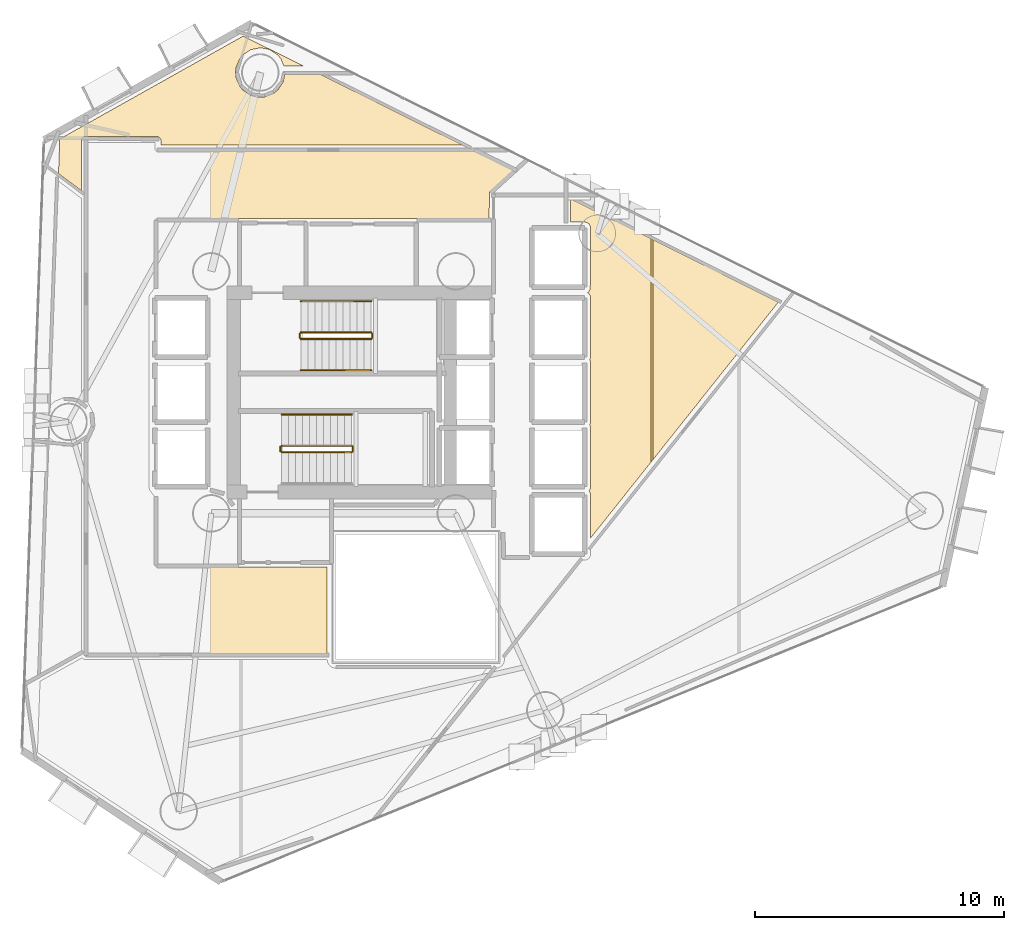
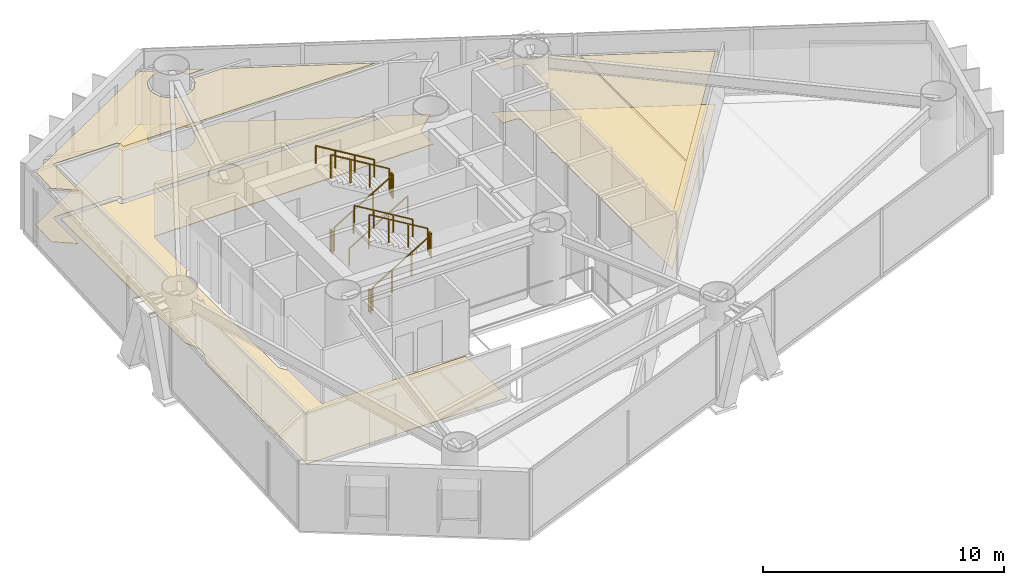
# One storey, part 21 of 22: 11 railings, 6 coverings.
"""IFC4 building model written with IfcOpenShell, lengths in metres."""

from ifc_helpers import new_model, si_unit, direction, frame, origin, origin_2d, place, context, subcontext, project, spatial, polyline, rectangle, outline, extrude, material, layer, layer_set, type_object, element, save


model = new_model("IFC4")

# Units and contexts
model_context = context("Model", 3, precision=1e-05, world=origin(), true_north=direction((0.0, 1.0)))
body_context = subcontext(model_context, "Body", "Model", "MODEL_VIEW")
ifc_project = project(units=[si_unit("LENGTHUNIT", "METRE"), si_unit("AREAUNIT", "SQUARE_METRE"), si_unit("VOLUMEUNIT", "CUBIC_METRE"), si_unit("PLANEANGLEUNIT", "RADIAN"), si_unit("MASSUNIT", "GRAM", prefix="KILO")], contexts=[model_context])

# Site, building, storey
site_placement = place(None, origin())
site = spatial("IfcSite", under=ifc_project, at=site_placement, CompositionType="ELEMENT")
building_placement = place(site_placement, origin())
building = spatial("IfcBuilding", under=site, at=building_placement, Name="Qianvela Tower", CompositionType="ELEMENT")
storey_placement = place(building_placement, frame((0.0, 0.0, 134.800048828125)))
storey = spatial("IfcBuildingStorey", under=building, at=storey_placement, Name="L34", CompositionType="ELEMENT", Elevation=134.800048828125)

# Coverings
ifc_material_1 = material(Name="Perforated Mineral Acoustic Ceiling Tile")
ifc_layer_1 = layer(ifc_material_1, 0.02490234375)
ifc_layer_set_1 = layer_set([ifc_layer_1], Name="Perforated Mineral Acoustic Ceiling Tile")
covering_type_1 = type_object("IfcCoveringType", Name="COV-CEIL-ACOUSTIC-25", PredefinedType="CEILING", material=ifc_layer_set_1)
covering_1_placement = place(storey_placement, frame((0.0, 0.0, 2.695068359375)))
element("IfcCovering", 1, at=covering_1_placement, inside=storey, type_object=covering_type_1, Name="L34 Acoustic Ceiling Social Sitting Lounge L34-02", PredefinedType="CEILING", context=body_context, shape_type="SweptSolid", body=[
    extrude(outline(polyline([(26.57861328125, 38.81591796875), (26.577880859375, 38.82421875), (26.57666015625, 38.83251953125), (26.574462890625, 38.840576171875), (26.571533203125, 38.84814453125), (26.567626953125, 38.855712890625), (26.563232421875, 38.862548828125), (26.55810546875, 38.868896484375), (26.55224609375, 38.875), (26.481689453125, 38.93896484375), (26.47509765625, 38.944091796875), (26.468017578125, 38.94873046875), (26.46044921875, 38.95263671875), (26.45263671875, 38.955810546875), (26.444580078125, 38.9580078125), (26.436279296875, 38.959228515625), (26.427734375, 38.959716796875), (23.542236328125, 38.959716796875), (23.5341796875, 38.959228515625), (23.526611328125, 38.9580078125), (23.518798828125, 38.956298828125), (23.511474609375, 38.95361328125), (23.50439453125, 38.9501953125), (23.450439453125, 38.92138671875), (23.44384765625, 38.917236328125), (23.4375, 38.91259765625), (23.431640625, 38.907470703125), (23.426513671875, 38.901611328125), (23.421875, 38.8955078125), (23.417724609375, 38.888916015625), (23.414306640625, 38.881591796875), (23.41162109375, 38.87451171875), (23.409912109375, 38.866943359375), (23.40869140625, 38.859130859375), (23.408203125, 38.851318359375), (23.391357421875, 36.784423828125), (22.4755859375, 37.474609375), (22.525634765625, 38.854736328125), (29.878662109375, 42.98193359375), (32.28857421875, 41.7841796875), (31.5087890625, 41.781982421875), (31.39453125, 42.057373046875), (31.39111328125, 42.064208984375), (31.38720703125, 42.071044921875), (31.382568359375, 42.077392578125), (31.269287109375, 42.215087890625), (31.263916015625, 42.220947265625), (31.25830078125, 42.226318359375), (31.251953125, 42.23095703125), (30.956787109375, 42.42822265625), (30.949951171875, 42.432373046875), (30.94287109375, 42.435546875), (30.935546875, 42.438232421875), (30.927734375, 42.440185546875), (30.57958984375, 42.509521484375), (30.57177734375, 42.510498046875), (30.56396484375, 42.510986328125), (30.55615234375, 42.510498046875), (30.54833984375, 42.509521484375), (30.2001953125, 42.440185546875), (30.1923828125, 42.438232421875), (30.18505859375, 42.435546875), (30.177978515625, 42.432373046875), (30.17138671875, 42.42822265625), (29.876220703125, 42.23095703125), (29.869873046875, 42.226318359375), (29.864013671875, 42.220947265625), (29.858642578125, 42.215087890625), (29.74560546875, 42.077392578125), (29.74072265625, 42.071044921875), (29.73681640625, 42.064208984375), (29.7333984375, 42.05712890625), (29.59765625, 41.72900390625), (29.594970703125, 41.7216796875), (29.593017578125, 41.714111328125), (29.591796875, 41.706298828125), (29.574462890625, 41.52880859375), (29.573974609375, 41.52099609375), (29.574462890625, 41.51318359375), (29.591796875, 41.335693359375), (29.593017578125, 41.327880859375), (29.594970703125, 41.3203125), (29.59765625, 41.31298828125), (29.7333984375, 40.98486328125), (29.73681640625, 40.977783203125), (29.74072265625, 40.970947265625), (29.74560546875, 40.964599609375), (29.858642578125, 40.826904296875), (29.864013671875, 40.821044921875), (29.869873046875, 40.815673828125), (29.876220703125, 40.81103515625), (30.17138671875, 40.61376953125), (30.177978515625, 40.609619140625), (30.18505859375, 40.6064453125), (30.1923828125, 40.603759765625), (30.36328125, 40.552001953125), (30.370849609375, 40.550048828125), (30.378662109375, 40.548828125), (30.386474609375, 40.548583984375), (30.741455078125, 40.548583984375), (30.74951171875, 40.548828125), (30.757080078125, 40.550048828125), (30.764892578125, 40.552001953125), (30.772216796875, 40.5546875), (31.10009765625, 40.6904296875), (31.107421875, 40.69384765625), (31.114013671875, 40.69775390625), (31.120361328125, 40.702392578125), (31.25830078125, 40.815673828125), (31.263916015625, 40.821044921875), (31.269287109375, 40.826904296875), (31.27392578125, 40.8330078125), (31.47119140625, 41.12841796875), (31.475341796875, 41.135009765625), (31.478759765625, 41.14208984375), (31.481201171875, 41.149658203125), (31.483154296875, 41.1572265625), (31.53955078125, 41.442138671875), (32.968994140625, 41.44580078125), (38.67333984375, 38.610107421875), (26.57958984375, 38.610107421875), (26.57861328125, 38.81591796875)])), origin(), (0.0, 0.0, 1.0), 0.02490234375),
])
covering_2_placement = place(storey_placement, frame((0.0, 0.0, 2.695068359375)))
element("IfcCovering", 2, at=covering_2_placement, inside=storey, type_object=covering_type_1, Name="L34 Acoustic Ceiling Bay 1 Social Sitting Lounge L34-04C", PredefinedType="CEILING", context=body_context, shape_type="SweptSolid", body=[
    extrude(outline(polyline([(43.680908203125, 32.70703125), (43.6884765625, 32.709716796875), (43.695556640625, 32.712890625), (43.7021484375, 32.717041015625), (43.70849609375, 32.7216796875), (43.71435546875, 32.72705078125), (43.719482421875, 32.73291015625), (43.771240234375, 32.795654296875), (43.77587890625, 32.802001953125), (43.77978515625, 32.80859375), (43.783203125, 32.815673828125), (43.785888671875, 32.822998046875), (43.787841796875, 32.83056640625), (43.788818359375, 32.83837890625), (43.789306640625, 32.84619140625), (43.79736328125, 35.3271484375), (43.797119140625, 35.334228515625), (43.7958984375, 35.341552734375), (43.79443359375, 35.348388671875), (43.792236328125, 35.35546875), (43.789306640625, 35.362060546875), (43.785888671875, 35.368408203125), (43.7373046875, 35.44921875), (43.732666015625, 35.456298828125), (43.727294921875, 35.462890625), (43.72119140625, 35.46875), (43.71435546875, 35.47412109375), (43.70703125, 35.478515625), (43.699462890625, 35.482177734375), (43.624267578125, 35.51318359375), (43.616943359375, 35.515869140625), (43.609375, 35.517822265625), (43.6015625, 35.518798828125), (43.59375, 35.519287109375), (43.0, 35.52001953125), (43.0087890625, 36.454833984375), (46.232421875, 34.852294921875), (46.232421875, 25.91259765625), (43.799560546875, 22.85546875), (43.800048828125, 24.60009765625), (43.7998046875, 24.606689453125), (43.798828125, 24.61376953125), (43.79736328125, 24.620361328125), (43.79541015625, 24.626953125), (43.763427734375, 24.7158203125), (43.760498046875, 24.722900390625), (43.7568359375, 24.72998046875), (43.75244140625, 24.736572265625), (43.74755859375, 24.742431640625), (43.741943359375, 24.748046875), (43.739990234375, 24.74951171875), (43.743408203125, 24.75341796875), (43.74755859375, 24.760009765625), (43.751220703125, 24.766845703125), (43.79150390625, 24.85205078125), (43.794921875, 24.860107421875), (43.79736328125, 24.86865234375), (43.798828125, 24.87744140625), (43.79931640625, 24.88623046875), (43.800048828125, 27.300048828125), (43.799560546875, 27.307861328125), (43.79833984375, 27.31591796875), (43.79638671875, 27.323486328125), (43.793701171875, 27.3310546875), (43.7646484375, 27.39990234375), (43.793701171875, 27.468994140625), (43.79638671875, 27.476318359375), (43.79833984375, 27.484130859375), (43.799560546875, 27.491943359375), (43.800048828125, 27.5), (43.800048828125, 29.89990234375), (43.799560546875, 29.907958984375), (43.79833984375, 29.915771484375), (43.79638671875, 29.923583984375), (43.793701171875, 29.93115234375), (43.7646484375, 30.0), (43.793701171875, 30.06884765625), (43.79638671875, 30.076416015625), (43.79833984375, 30.084228515625), (43.799560546875, 30.09228515625), (43.800048828125, 30.10009765625), (43.7939453125, 32.540771484375), (43.793701171875, 32.548583984375), (43.79248046875, 32.556396484375), (43.79052734375, 32.56396484375), (43.787841796875, 32.5712890625), (43.784423828125, 32.578369140625), (43.780517578125, 32.585205078125), (43.7353515625, 32.652587890625), (43.73095703125, 32.658447265625), (43.726318359375, 32.6640625), (43.720947265625, 32.6689453125), (43.715087890625, 32.673583984375), (43.708984375, 32.677490234375), (43.702392578125, 32.680908203125), (43.69580078125, 32.68359375), (43.653564453125, 32.69873046875), (43.680908203125, 32.70703125)])), origin(), (0.0, 0.0, 1.0), 0.02490234375),
])
covering_3_placement = place(storey_placement, frame((0.0, 0.0, 2.695068359375)))
element("IfcCovering", 3, at=covering_3_placement, inside=storey, type_object=covering_type_1, Name="L34 Acoustic Ceiling Bay 2 Social Sitting Lounge L34-04C", PredefinedType="CEILING", context=body_context, shape_type="SweptSolid", body=[
    extrude(outline(polyline([(51.329833984375, 32.318115234375), (46.312255859375, 26.01318359375), (46.312255859375, 34.8125), (51.329833984375, 32.318115234375)])), origin(), (0.0, 0.0, 1.0), 0.02490234375),
])
ifc_material_2 = material(Name="Engineered Acoustic Oak Timber Flooring", Category="wood")
ifc_layer_2 = layer(ifc_material_2, 0.02001953125)
ifc_layer_set_2 = layer_set([ifc_layer_2], Name="Engineered Acoustic Oak Timber Flooring")
covering_type_2 = type_object("IfcCoveringType", Name="COV-FLOOR-OAK-20", PredefinedType="FLOORING", material=ifc_layer_set_2)
covering_4_placement = place(storey_placement, origin())
element("IfcCovering", 4, at=covering_4_placement, inside=storey, type_object=covering_type_2, Name="L34 Finish Flooring Social Sitting Lounge L34-02", PredefinedType="FLOORING", context=body_context, shape_type="SweptSolid", body=[
    extrude(outline(polyline([(26.57861328125, 38.81591796875), (26.577880859375, 38.82421875), (26.57666015625, 38.83251953125), (26.574462890625, 38.840576171875), (26.571533203125, 38.84814453125), (26.567626953125, 38.855712890625), (26.563232421875, 38.862548828125), (26.55810546875, 38.868896484375), (26.55224609375, 38.875), (26.481689453125, 38.93896484375), (26.47509765625, 38.944091796875), (26.468017578125, 38.94873046875), (26.46044921875, 38.95263671875), (26.45263671875, 38.955810546875), (26.444580078125, 38.9580078125), (26.436279296875, 38.959228515625), (26.427734375, 38.959716796875), (23.542236328125, 38.959716796875), (23.5341796875, 38.959228515625), (23.526611328125, 38.9580078125), (23.518798828125, 38.956298828125), (23.511474609375, 38.95361328125), (23.50439453125, 38.9501953125), (23.450439453125, 38.92138671875), (23.44384765625, 38.917236328125), (23.4375, 38.91259765625), (23.431640625, 38.907470703125), (23.426513671875, 38.901611328125), (23.421875, 38.8955078125), (23.417724609375, 38.888916015625), (23.414306640625, 38.881591796875), (23.41162109375, 38.87451171875), (23.409912109375, 38.866943359375), (23.40869140625, 38.859130859375), (23.408203125, 38.851318359375), (23.391357421875, 36.784423828125), (22.4755859375, 37.474609375), (22.525634765625, 38.854736328125), (29.878662109375, 42.98193359375), (32.28857421875, 41.7841796875), (31.5087890625, 41.781982421875), (31.39453125, 42.057373046875), (31.39111328125, 42.064208984375), (31.38720703125, 42.071044921875), (31.382568359375, 42.077392578125), (31.269287109375, 42.215087890625), (31.263916015625, 42.220947265625), (31.25830078125, 42.226318359375), (31.251953125, 42.23095703125), (30.956787109375, 42.42822265625), (30.949951171875, 42.432373046875), (30.94287109375, 42.435546875), (30.935546875, 42.438232421875), (30.927734375, 42.440185546875), (30.57958984375, 42.509521484375), (30.57177734375, 42.510498046875), (30.56396484375, 42.510986328125), (30.55615234375, 42.510498046875), (30.54833984375, 42.509521484375), (30.2001953125, 42.440185546875), (30.1923828125, 42.438232421875), (30.18505859375, 42.435546875), (30.177978515625, 42.432373046875), (30.17138671875, 42.42822265625), (29.876220703125, 42.23095703125), (29.869873046875, 42.226318359375), (29.864013671875, 42.220947265625), (29.858642578125, 42.215087890625), (29.74560546875, 42.077392578125), (29.74072265625, 42.071044921875), (29.73681640625, 42.064208984375), (29.7333984375, 42.05712890625), (29.59765625, 41.72900390625), (29.594970703125, 41.7216796875), (29.593017578125, 41.714111328125), (29.591796875, 41.706298828125), (29.574462890625, 41.52880859375), (29.573974609375, 41.52099609375), (29.574462890625, 41.51318359375), (29.591796875, 41.335693359375), (29.593017578125, 41.327880859375), (29.594970703125, 41.3203125), (29.59765625, 41.31298828125), (29.7333984375, 40.98486328125), (29.73681640625, 40.977783203125), (29.74072265625, 40.970947265625), (29.74560546875, 40.964599609375), (29.858642578125, 40.826904296875), (29.864013671875, 40.821044921875), (29.869873046875, 40.815673828125), (29.876220703125, 40.81103515625), (30.17138671875, 40.61376953125), (30.177978515625, 40.609619140625), (30.18505859375, 40.6064453125), (30.1923828125, 40.603759765625), (30.36328125, 40.552001953125), (30.370849609375, 40.550048828125), (30.378662109375, 40.548828125), (30.386474609375, 40.548583984375), (30.741455078125, 40.548583984375), (30.74951171875, 40.548828125), (30.757080078125, 40.550048828125), (30.764892578125, 40.552001953125), (30.772216796875, 40.5546875), (31.10009765625, 40.6904296875), (31.107421875, 40.69384765625), (31.114013671875, 40.69775390625), (31.120361328125, 40.702392578125), (31.25830078125, 40.815673828125), (31.263916015625, 40.821044921875), (31.269287109375, 40.826904296875), (31.27392578125, 40.8330078125), (31.47119140625, 41.12841796875), (31.475341796875, 41.135009765625), (31.478759765625, 41.14208984375), (31.481201171875, 41.149658203125), (31.483154296875, 41.1572265625), (31.53955078125, 41.442138671875), (32.968994140625, 41.44580078125), (38.67333984375, 38.610107421875), (26.57958984375, 38.610107421875), (26.57861328125, 38.81591796875)])), origin(), (0.0, 0.0, 1.0), 0.02001953125),
])
covering_5_placement = place(storey_placement, origin())
element("IfcCovering", 5, at=covering_5_placement, inside=storey, type_object=covering_type_2, Name="L34 Finish Flooring Social Sitting Lounge L34-04C", PredefinedType="FLOORING", context=body_context, shape_type="SweptSolid", body=[
    extrude(outline(polyline([(43.653564453125, 32.69873046875), (43.680908203125, 32.70703125), (43.6884765625, 32.709716796875), (43.695556640625, 32.712890625), (43.7021484375, 32.717041015625), (43.70849609375, 32.7216796875), (43.71435546875, 32.72705078125), (43.719482421875, 32.73291015625), (43.771240234375, 32.795654296875), (43.77587890625, 32.802001953125), (43.77978515625, 32.80859375), (43.783203125, 32.815673828125), (43.785888671875, 32.822998046875), (43.787841796875, 32.83056640625), (43.788818359375, 32.83837890625), (43.789306640625, 32.84619140625), (43.79736328125, 35.3271484375), (43.797119140625, 35.334228515625), (43.7958984375, 35.341552734375), (43.79443359375, 35.348388671875), (43.792236328125, 35.35546875), (43.789306640625, 35.362060546875), (43.785888671875, 35.368408203125), (43.7373046875, 35.44921875), (43.732666015625, 35.456298828125), (43.727294921875, 35.462890625), (43.72119140625, 35.46875), (43.71435546875, 35.47412109375), (43.70703125, 35.478515625), (43.699462890625, 35.482177734375), (43.624267578125, 35.51318359375), (43.616943359375, 35.515869140625), (43.609375, 35.517822265625), (43.6015625, 35.518798828125), (43.59375, 35.519287109375), (43.0, 35.52001953125), (43.0087890625, 36.454833984375), (51.329833984375, 32.318115234375), (43.799560546875, 22.85546875), (43.800048828125, 24.60009765625), (43.7998046875, 24.606689453125), (43.798828125, 24.61376953125), (43.79736328125, 24.620361328125), (43.79541015625, 24.626953125), (43.763427734375, 24.7158203125), (43.760498046875, 24.722900390625), (43.7568359375, 24.72998046875), (43.75244140625, 24.736572265625), (43.74755859375, 24.742431640625), (43.741943359375, 24.748046875), (43.739990234375, 24.74951171875), (43.743408203125, 24.75341796875), (43.74755859375, 24.760009765625), (43.751220703125, 24.766845703125), (43.79150390625, 24.85205078125), (43.794921875, 24.860107421875), (43.79736328125, 24.86865234375), (43.798828125, 24.87744140625), (43.79931640625, 24.88623046875), (43.800048828125, 27.300048828125), (43.799560546875, 27.307861328125), (43.79833984375, 27.31591796875), (43.79638671875, 27.323486328125), (43.793701171875, 27.3310546875), (43.7646484375, 27.39990234375), (43.793701171875, 27.468994140625), (43.79638671875, 27.476318359375), (43.79833984375, 27.484130859375), (43.799560546875, 27.491943359375), (43.800048828125, 27.5), (43.800048828125, 29.89990234375), (43.799560546875, 29.907958984375), (43.79833984375, 29.915771484375), (43.79638671875, 29.923583984375), (43.793701171875, 29.93115234375), (43.7646484375, 30.0), (43.793701171875, 30.06884765625), (43.79638671875, 30.076416015625), (43.79833984375, 30.084228515625), (43.799560546875, 30.09228515625), (43.800048828125, 30.10009765625), (43.7939453125, 32.540771484375), (43.793701171875, 32.548583984375), (43.79248046875, 32.556396484375), (43.79052734375, 32.56396484375), (43.787841796875, 32.5712890625), (43.784423828125, 32.578369140625), (43.780517578125, 32.585205078125), (43.7353515625, 32.652587890625), (43.73095703125, 32.658447265625), (43.726318359375, 32.6640625), (43.720947265625, 32.6689453125), (43.715087890625, 32.673583984375), (43.708984375, 32.677490234375), (43.702392578125, 32.680908203125), (43.69580078125, 32.68359375), (43.653564453125, 32.69873046875)])), origin(), (0.0, 0.0, 1.0), 0.02001953125),
])
ifc_material_3 = material(Name="Honed Stone Terrazzo Flooring", Category="masonry")
ifc_layer_3 = layer(ifc_material_3, 0.030029296875)
ifc_layer_set_3 = layer_set([ifc_layer_3], Name="Honed Stone Terrazzo Flooring")
covering_type_3 = type_object("IfcCoveringType", Name="COV-FLOOR-TERRAZZO-30", PredefinedType="FLOORING", material=ifc_layer_set_3)
covering_6_placement = place(storey_placement, origin())
element("IfcCovering", 6, at=covering_6_placement, inside=storey, type_object=covering_type_3, Name="L34 Finish Flooring L34 Floor Corridor", PredefinedType="FLOORING", context=body_context, shape_type="SweptSolid", body=[
    extrude(outline(polyline([(23.8505859375, 27.910400390625), (23.84814453125, 27.917724609375), (23.8447265625, 27.9248046875), (23.6298828125, 28.32666015625), (23.6298828125, 38.719970703125), (26.340087890625, 38.719970703125), (26.340087890625, 38.449951171875), (26.34033203125, 38.442138671875), (26.341552734375, 38.434326171875), (26.343505859375, 38.4267578125), (26.34619140625, 38.41943359375), (26.349365234375, 38.412353515625), (26.353515625, 38.405517578125), (26.358154296875, 38.399169921875), (26.36328125, 38.393310546875), (26.369140625, 38.38818359375), (26.37548828125, 38.383544921875), (26.38232421875, 38.37939453125), (26.389404296875, 38.376220703125), (26.396728515625, 38.373291015625), (26.404296875, 38.37158203125), (26.412109375, 38.370361328125), (26.419921875, 38.3701171875), (39.15625, 38.3701171875), (40.712890625, 37.59619140625), (39.771484375, 36.73828125), (39.765625, 36.732421875), (39.760498046875, 36.72607421875), (39.756103515625, 36.718994140625), (39.752197265625, 36.7119140625), (39.749267578125, 36.7041015625), (39.7470703125, 36.696044921875), (39.745849609375, 36.68798828125), (39.745361328125, 36.6796875), (39.738525390625, 35.659912109375), (26.419921875, 35.659912109375), (26.412109375, 35.65966796875), (26.404296875, 35.658447265625), (26.396728515625, 35.656494140625), (26.389404296875, 35.65380859375), (26.38232421875, 35.650634765625), (26.37548828125, 35.646484375), (26.369140625, 35.641845703125), (26.36328125, 35.63671875), (26.358154296875, 35.630859375), (26.353515625, 35.62451171875), (26.349365234375, 35.61767578125), (26.34619140625, 35.610595703125), (26.343505859375, 35.603271484375), (26.341552734375, 35.595703125), (26.34033203125, 35.587890625), (26.340087890625, 35.580078125), (26.340087890625, 32.89599609375), (26.139404296875, 32.62548828125), (26.135498046875, 32.61962890625), (26.132080078125, 32.61376953125), (26.12939453125, 32.607421875), (26.126953125, 32.60107421875), (26.103515625, 32.523193359375), (26.1015625, 32.515625), (26.100341796875, 32.5078125), (26.10009765625, 32.5), (26.10009765625, 24.89990234375), (26.100341796875, 24.89208984375), (26.1015625, 24.884521484375), (26.103515625, 24.876708984375), (26.126953125, 24.799072265625), (26.12939453125, 24.79248046875), (26.132080078125, 24.786376953125), (26.135498046875, 24.7802734375), (26.139404296875, 24.774658203125), (26.340087890625, 24.50390625), (26.340087890625, 21.780029296875), (26.34033203125, 21.772216796875), (26.341552734375, 21.764404296875), (26.343505859375, 21.7568359375), (26.34619140625, 21.74951171875), (26.349365234375, 21.7421875), (26.353515625, 21.735595703125), (26.358154296875, 21.729248046875), (26.36328125, 21.723388671875), (26.369140625, 21.71826171875), (26.37548828125, 21.71337890625), (26.38232421875, 21.70947265625), (26.389404296875, 21.7060546875), (26.396728515625, 21.703369140625), (26.404296875, 21.701416015625), (26.412109375, 21.700439453125), (26.419921875, 21.699951171875), (33.239990234375, 21.699951171875), (33.239990234375, 18.22998046875), (23.6298828125, 18.22998046875), (23.6298828125, 26.705322265625), (23.8447265625, 27.107177734375), (23.84814453125, 27.1142578125), (23.8505859375, 27.12158203125), (23.906005859375, 27.303466796875), (23.90771484375, 27.311279296875), (23.908935546875, 27.31884765625), (23.909423828125, 27.326904296875), (23.909423828125, 27.705078125), (23.908935546875, 27.713134765625), (23.90771484375, 27.720703125), (23.906005859375, 27.728515625), (23.8505859375, 27.910400390625)])), origin(), (0.0, 0.0, 1.0), 0.030029296875),
])

# Railings
ifc_material_4 = material(Name="Painted Tubular Steel Q355B", Category="steel")
railing_type_1 = type_object("IfcRailingType", Name="RL-STAIR-GUARD-1200", PredefinedType="GUARDRAIL", material=ifc_material_4)
railing_1_placement = place(storey_placement, frame((32.199951171875, 30.840087890625, 0.168212890625)))
element("IfcRailing", 7, at=railing_1_placement, inside=storey, type_object=railing_type_1, Name="L34 ST-1 stair guard 1", PredefinedType="GUARDRAIL", context=body_context, shape_type="SweptSolid", body=[
    extrude(rectangle(XDim=0.050048828125, YDim=0.0400390625, at=origin_2d()), frame((0.0, 0.0, 1.179931640625), z_axis=(0.857275202839, 0.0, 0.514858452973), x_axis=(0.0, 1.0, 0.0)), (0.0, 0.0, 1.0), 3.26611328125),
    extrude(rectangle(XDim=0.050048828125, YDim=0.050048828125, at=origin_2d()), origin(), (0.0, 0.0, 1.0), 1.159912109375),
    extrude(rectangle(XDim=0.050048828125, YDim=0.050048828125, at=origin_2d()), frame((0.933349609375, 0.0, 0.560546875)), (0.0, 0.0, 1.0), 1.159912109375),
    extrude(rectangle(XDim=0.050048828125, YDim=0.050048828125, at=origin_2d()), frame((1.86669921875, 0.0, 1.12109375)), (0.0, 0.0, 1.0), 1.159912109375),
    extrude(rectangle(XDim=0.050048828125, YDim=0.050048828125, at=origin_2d()), frame((2.800048828125, 0.0, 1.681640625)), (0.0, 0.0, 1.0), 1.159912109375),
])
railing_2_placement = place(storey_placement, frame((35.050048828125, 30.889892578125, 1.849853515625)))
element("IfcRailing", 8, at=railing_2_placement, inside=storey, type_object=railing_type_1, Name="L34 ST-1 stair guard 2", PredefinedType="GUARDRAIL", context=body_context, shape_type="SweptSolid", body=[
    extrude(rectangle(XDim=0.050048828125, YDim=0.0400390625, at=origin_2d()), frame((0.0, 0.0, 1.179931640625), z_axis=(0.0, 1.0, 0.0), x_axis=(-1.0, 0.0, 0.0)), (0.0, 0.0, 1.0), 0.16015625),
    extrude(rectangle(XDim=0.050048828125, YDim=0.050048828125, at=origin_2d()), origin(), (0.0, 0.0, 1.0), 1.159912109375),
    extrude(rectangle(XDim=0.050048828125, YDim=0.050048828125, at=origin_2d()), frame((0.0, 0.16015625, 0.0)), (0.0, 0.0, 1.0), 1.159912109375),
])
railing_3_placement = place(storey_placement, frame((35.0, 31.10009765625, 2.01806640625)))
element("IfcRailing", 9, at=railing_3_placement, inside=storey, type_object=railing_type_1, Name="L34 ST-1 stair guard 3", PredefinedType="GUARDRAIL", context=body_context, shape_type="SweptSolid", body=[
    extrude(rectangle(XDim=0.050048828125, YDim=0.0400390625, at=origin_2d()), frame((0.0, 0.0, 1.179931640625), z_axis=(-0.857242210791, 0.0, 0.514913383045), x_axis=(0.0, -1.0, 0.0)), (0.0, 0.0, 1.0), 3.266357421875),
    extrude(rectangle(XDim=0.050048828125, YDim=0.050048828125, at=origin_2d()), origin(), (0.0, 0.0, 1.0), 1.159912109375),
    extrude(rectangle(XDim=0.050048828125, YDim=0.050048828125, at=origin_2d()), frame((-0.933349609375, 0.0, 0.560546875)), (0.0, 0.0, 1.0), 1.159912109375),
    extrude(rectangle(XDim=0.050048828125, YDim=0.050048828125, at=origin_2d()), frame((-1.86669921875, 0.0, 1.121337890625)), (0.0, 0.0, 1.0), 1.159912109375),
    extrude(rectangle(XDim=0.050048828125, YDim=0.050048828125, at=origin_2d()), frame((-2.800048828125, 0.0, 1.681884765625)), (0.0, 0.0, 1.0), 1.159912109375),
])
railing_4_placement = place(storey_placement, frame((32.14990234375, 30.889892578125, 0.0)))
element("IfcRailing", 10, at=railing_4_placement, inside=storey, type_object=railing_type_1, Name="L34 ST-1 stair guard 4", PredefinedType="GUARDRAIL", context=body_context, shape_type="SweptSolid", body=[
    extrude(rectangle(XDim=0.050048828125, YDim=0.0400390625, at=origin_2d()), frame((0.0, 0.0, 1.179931640625), z_axis=(0.0, 1.0, 0.0), x_axis=(-1.0, 0.0, 0.0)), (0.0, 0.0, 1.0), 0.16015625),
    extrude(rectangle(XDim=0.050048828125, YDim=0.050048828125, at=origin_2d()), origin(), (0.0, 0.0, 1.0), 1.159912109375),
    extrude(rectangle(XDim=0.050048828125, YDim=0.050048828125, at=origin_2d()), frame((0.0, 0.16015625, 0.0)), (0.0, 0.0, 1.0), 1.159912109375),
])
railing_5_placement = place(storey_placement, frame((31.419921875, 26.300048828125, 0.168212890625)))
element("IfcRailing", 11, at=railing_5_placement, inside=storey, type_object=railing_type_1, Name="L34 ST-2 stair guard 1", PredefinedType="GUARDRAIL", context=body_context, shape_type="SweptSolid", body=[
    extrude(rectangle(XDim=0.050048828125, YDim=0.0400390625, at=origin_2d()), frame((0.0, 0.0, 1.179931640625), z_axis=(0.857275202839, 0.0, 0.514858452973), x_axis=(0.0, 1.0, 0.0)), (0.0, 0.0, 1.0), 3.26611328125),
    extrude(rectangle(XDim=0.050048828125, YDim=0.050048828125, at=origin_2d()), origin(), (0.0, 0.0, 1.0), 1.159912109375),
    extrude(rectangle(XDim=0.050048828125, YDim=0.050048828125, at=origin_2d()), frame((0.933349609375, 0.0, 0.560546875)), (0.0, 0.0, 1.0), 1.159912109375),
    extrude(rectangle(XDim=0.050048828125, YDim=0.050048828125, at=origin_2d()), frame((1.86669921875, 0.0, 1.12109375)), (0.0, 0.0, 1.0), 1.159912109375),
    extrude(rectangle(XDim=0.050048828125, YDim=0.050048828125, at=origin_2d()), frame((2.800048828125, 0.0, 1.681640625)), (0.0, 0.0, 1.0), 1.159912109375),
])
railing_6_placement = place(storey_placement, frame((34.27001953125, 26.35009765625, 1.849853515625)))
element("IfcRailing", 12, at=railing_6_placement, inside=storey, type_object=railing_type_1, Name="L34 ST-2 stair guard 2", PredefinedType="GUARDRAIL", context=body_context, shape_type="SweptSolid", body=[
    extrude(rectangle(XDim=0.050048828125, YDim=0.0400390625, at=origin_2d()), frame((0.0, 0.0, 1.179931640625), z_axis=(0.0, 1.0, 0.0), x_axis=(-1.0, 0.0, 0.0)), (0.0, 0.0, 1.0), 0.159912109375),
    extrude(rectangle(XDim=0.050048828125, YDim=0.050048828125, at=origin_2d()), origin(), (0.0, 0.0, 1.0), 1.159912109375),
    extrude(rectangle(XDim=0.050048828125, YDim=0.050048828125, at=origin_2d()), frame((0.0, 0.159912109375, 0.0)), (0.0, 0.0, 1.0), 1.159912109375),
])
railing_7_placement = place(storey_placement, frame((34.219970703125, 26.56005859375, 2.01806640625)))
element("IfcRailing", 13, at=railing_7_placement, inside=storey, type_object=railing_type_1, Name="L34 ST-2 stair guard 3", PredefinedType="GUARDRAIL", context=body_context, shape_type="SweptSolid", body=[
    extrude(rectangle(XDim=0.050048828125, YDim=0.0400390625, at=origin_2d()), frame((0.0, 0.0, 1.179931640625), z_axis=(-0.857242210791, 0.0, 0.514913383045), x_axis=(0.0, -1.0, 0.0)), (0.0, 0.0, 1.0), 3.266357421875),
    extrude(rectangle(XDim=0.050048828125, YDim=0.050048828125, at=origin_2d()), origin(), (0.0, 0.0, 1.0), 1.159912109375),
    extrude(rectangle(XDim=0.050048828125, YDim=0.050048828125, at=origin_2d()), frame((-0.933349609375, 0.0, 0.560546875)), (0.0, 0.0, 1.0), 1.159912109375),
    extrude(rectangle(XDim=0.050048828125, YDim=0.050048828125, at=origin_2d()), frame((-1.86669921875, 0.0, 1.121337890625)), (0.0, 0.0, 1.0), 1.159912109375),
    extrude(rectangle(XDim=0.050048828125, YDim=0.050048828125, at=origin_2d()), frame((-2.800048828125, 0.0, 1.681884765625)), (0.0, 0.0, 1.0), 1.159912109375),
])
railing_8_placement = place(storey_placement, frame((31.3701171875, 26.35009765625, 0.0)))
element("IfcRailing", 14, at=railing_8_placement, inside=storey, type_object=railing_type_1, Name="L34 ST-2 stair guard 4", PredefinedType="GUARDRAIL", context=body_context, shape_type="SweptSolid", body=[
    extrude(rectangle(XDim=0.050048828125, YDim=0.0400390625, at=origin_2d()), frame((0.0, 0.0, 1.179931640625), z_axis=(0.0, 1.0, 0.0), x_axis=(-1.0, 0.0, 0.0)), (0.0, 0.0, 1.0), 0.159912109375),
    extrude(rectangle(XDim=0.050048828125, YDim=0.050048828125, at=origin_2d()), origin(), (0.0, 0.0, 1.0), 1.159912109375),
    extrude(rectangle(XDim=0.050048828125, YDim=0.050048828125, at=origin_2d()), frame((0.0, 0.159912109375, 0.0)), (0.0, 0.0, 1.0), 1.159912109375),
])
ifc_material_5 = material(Name="Brushed Stainless Steel 304", Category="steel")
railing_type_2 = type_object("IfcRailingType", Name="RL-STAIR-HANDRAIL-900", PredefinedType="HANDRAIL", material=ifc_material_5)
railing_9_placement = place(storey_placement, frame((32.199951171875, 29.590087890625, 0.168212890625)))
element("IfcRailing", 15, at=railing_9_placement, inside=storey, type_object=railing_type_2, Name="L34 ST-1 stair handrail 1", PredefinedType="HANDRAIL", context=body_context, shape_type="SweptSolid", body=[
    extrude(rectangle(XDim=0.050048828125, YDim=0.0400390625, at=origin_2d()), frame((0.0, 0.0, 0.8798828125), z_axis=(0.857275202839, 0.0, 0.514858452973), x_axis=(0.0, 1.0, 0.0)), (0.0, 0.0, 1.0), 3.26611328125),
    extrude(rectangle(XDim=0.050048828125, YDim=0.050048828125, at=origin_2d()), origin(), (0.0, 0.0, 1.0), 0.85986328125),
    extrude(rectangle(XDim=0.050048828125, YDim=0.050048828125, at=origin_2d()), frame((0.933349609375, 0.0, 0.560546875)), (0.0, 0.0, 1.0), 0.85986328125),
    extrude(rectangle(XDim=0.050048828125, YDim=0.050048828125, at=origin_2d()), frame((1.86669921875, 0.0, 1.12109375)), (0.0, 0.0, 1.0), 0.85986328125),
    extrude(rectangle(XDim=0.050048828125, YDim=0.050048828125, at=origin_2d()), frame((2.800048828125, 0.0, 1.681640625)), (0.0, 0.0, 1.0), 0.85986328125),
])
for number, where, name in (
    (16, (35.0, 32.35009765625, 2.01806640625), "L34 ST-1 stair handrail 2"),
    (17, (34.219970703125, 27.81005859375, 2.01806640625), "L34 ST-2 stair handrail 2"),
):
    element("IfcRailing", number, at=place(storey_placement, frame(where)), inside=storey, type_object=railing_type_2, Name=name, PredefinedType="HANDRAIL", context=body_context, shape_type="SweptSolid", body=[
        extrude(rectangle(XDim=0.050048828125, YDim=0.0400390625, at=origin_2d()), frame((0.0, 0.0, 0.8798828125), z_axis=(-0.857242210791, 0.0, 0.514913383045), x_axis=(0.0, -1.0, 0.0)), (0.0, 0.0, 1.0), 3.266357421875),
        extrude(rectangle(XDim=0.050048828125, YDim=0.050048828125, at=origin_2d()), origin(), (0.0, 0.0, 1.0), 0.85986328125),
        extrude(rectangle(XDim=0.050048828125, YDim=0.050048828125, at=origin_2d()), frame((-0.933349609375, 0.0, 0.560546875)), (0.0, 0.0, 1.0), 0.85986328125),
        extrude(rectangle(XDim=0.050048828125, YDim=0.050048828125, at=origin_2d()), frame((-1.86669921875, 0.0, 1.121337890625)), (0.0, 0.0, 1.0), 0.85986328125),
        extrude(rectangle(XDim=0.050048828125, YDim=0.050048828125, at=origin_2d()), frame((-2.800048828125, 0.0, 1.681884765625)), (0.0, 0.0, 1.0), 0.85986328125),
    ])

save(model, "model.ifc")
